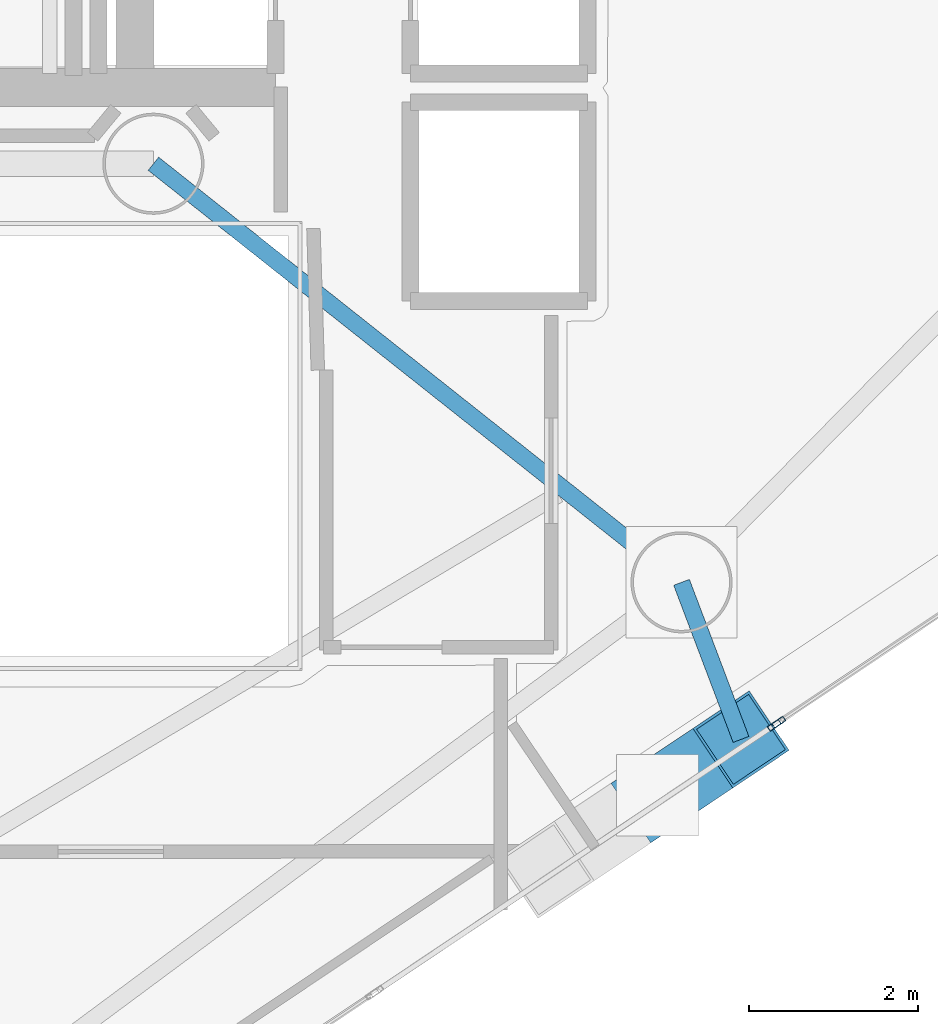
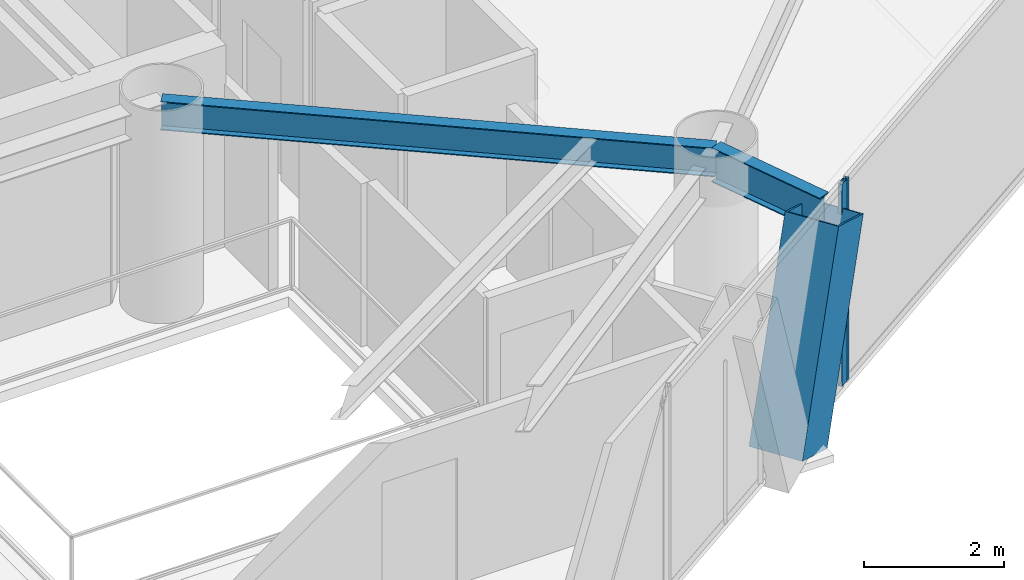
# One storey, part 5 of 21: 3 members, 2 beams, 2 elements without a shape of their own.
"""IFC4 building model written with IfcOpenShell, lengths in metres."""

from ifc_helpers import new_model, si_unit, direction, frame, origin, origin_2d, place, context, subcontext, project, spatial, hollow_rectangle, i_section, extrude, material, layer, layer_set, material_profile, profile_set, type_object, element, aggregate, save


model = new_model("IFC4")

# Units and contexts
model_context = context("Model", 3, precision=1e-05, world=origin(), true_north=direction((0.0, 1.0)))
body_context = subcontext(model_context, "Body", "Model", "MODEL_VIEW")
ifc_project = project(units=[si_unit("LENGTHUNIT", "METRE"), si_unit("AREAUNIT", "SQUARE_METRE"), si_unit("VOLUMEUNIT", "CUBIC_METRE"), si_unit("PLANEANGLEUNIT", "RADIAN"), si_unit("MASSUNIT", "GRAM", prefix="KILO")], contexts=[model_context])

# Site, building, storey
site_placement = place(None, origin())
site = spatial("IfcSite", under=ifc_project, at=site_placement, CompositionType="ELEMENT")
building_placement = place(site_placement, origin())
building = spatial("IfcBuilding", under=site, at=building_placement, Name="Qianvela Tower", CompositionType="ELEMENT")
storey_placement = place(building_placement, frame((0.0, 0.0, 189.199951171875)))
storey = spatial("IfcBuildingStorey", under=building, at=storey_placement, Name="L48", CompositionType="ELEMENT", Elevation=189.199951171875)

# Beams
ifc_material_1 = material(Name="Steel Q355B", Category="steel")
ifc_material_profile_1 = material_profile(ifc_material_1, i_section(OverallWidth=0.199951171875, OverallDepth=0.5, WebThickness=0.010009765625, FlangeThickness=0.01611328125, at=origin_2d()), Name="HN500x200x10x16")
ifc_profile_set_1 = profile_set([ifc_material_profile_1], Name="Steel Q355B")
beam_type_1 = type_object("IfcBeamType", Name="BM-HN500-GIRD", PredefinedType="BEAM", material=ifc_profile_set_1)
beam_1_placement = place(storey_placement, frame((38.39990234375, 23.85009765625, 3.26806640625), z_axis=(0.783705217119, -0.621132942824, 0.0), x_axis=(0.621132942824, 0.783705217119, 0.0)))
element("IfcBeam", 1, at=beam_1_placement, inside=storey, type_object=beam_type_1, Name="L48 Radial Primary Floor Girder 6", PredefinedType="BEAM", context=body_context, shape_type="SweptSolid", body=[
    extrude(i_section(OverallWidth=0.199951171875, OverallDepth=0.5, WebThickness=0.010009765625, FlangeThickness=0.01611328125, at=origin_2d()), origin(), (0.0, 0.0, 1.0), 7.996826171875),
])
ifc_material_2 = material(Name="Steel Q355B", Category="steel")
ifc_material_profile_2 = material_profile(ifc_material_2, i_section(OverallWidth=0.199951171875, OverallDepth=0.60009765625, WebThickness=0.010986328125, FlangeThickness=0.01708984375, at=origin_2d()), Name="HN600x200x11x17")
ifc_profile_set_2 = profile_set([ifc_material_profile_2], Name="Steel Q355B")
beam_type_2 = type_object("IfcBeamType", Name="BM-HN600-GIRD", PredefinedType="BEAM", material=ifc_profile_set_2)
beam_2_placement = place(storey_placement, frame((44.6669921875, 18.883056640625, 3.218017578125), z_axis=(0.354074511547, -0.935217215556, 0.0), x_axis=(0.935217215556, 0.354074511547, 0.0)))
element("IfcBeam", 2, at=beam_2_placement, inside=storey, type_object=beam_type_2, Name="L48 Mega-Brace Column Tie Bracket F3-2", PredefinedType="BEAM", context=body_context, shape_type="SweptSolid", body=[
    extrude(i_section(OverallWidth=0.199951171875, OverallDepth=0.60009765625, WebThickness=0.010986328125, FlangeThickness=0.01708984375, at=origin_2d()), origin(), (0.0, 0.0, 1.0), 1.993408203125),
])

# Curtain wall, member
ifc_material_3 = material(Name="Anodised Architectural Aluminium and Insulated Spandrel Panel", Category="aluminium")
ifc_layer_1 = layer(ifc_material_3, 0.179931640625)
ifc_layer_set_1 = layer_set([ifc_layer_1], Name="Anodised Architectural Aluminium and Insulated Spandrel Panel")
curtain_wall_type_1 = type_object("IfcCurtainWallType", Name="CW-BRACEBAY", PredefinedType="USERDEFINED", material=ifc_layer_set_1)
curtain_wall_1_placement = place(storey_placement, origin())
curtain_wall_1 = element("IfcCurtainWall", 3, at=curtain_wall_1_placement, inside=storey, type_object=curtain_wall_type_1, Name="L48 CW-BRACEBAY Curtain Wall 06B", ObjectType="CURTAIN_WALL_SYSTEM", PredefinedType="USERDEFINED")
ifc_material_4 = material(Name="Anodised Architectural Aluminium 6063-T6", Category="aluminium")
ifc_material_profile_3 = material_profile(ifc_material_4, hollow_rectangle(XDim=0.06494140625, YDim=0.159912109375, WallThickness=0.0048828125, at=origin_2d()), Name="ALU-MULL-65x160")
ifc_profile_set_3 = profile_set([ifc_material_profile_3], Name="Anodised Architectural Aluminium 6063-T6")
member_type_1 = type_object("IfcMemberType", Name="CW-BRACEBAY-MULL", PredefinedType="MULLION", material=ifc_profile_set_3)
member_1_placement = place(storey_placement, frame((45.767333984375, 17.186767578125, 0.0), z_axis=(0.0, 0.0, 1.0), x_axis=(-0.556182826107, 0.831059964108, 0.0)))
member_1 = element("IfcMember", 4, at=member_1_placement, type_object=member_type_1, Name="CW-9 mullion 2", PredefinedType="MULLION", context=body_context, shape_type="SweptSolid", body=[
    extrude(hollow_rectangle(XDim=0.06494140625, YDim=0.159912109375, WallThickness=0.0048828125, at=origin_2d()), origin(), (0.0, 0.0, 1.0), 3.52001953125),
])
aggregate(curtain_wall_1, [member_1])

ifc_material_5 = material(Name="Anodised Architectural Aluminium and Low-E Glass", Category="aluminium")
ifc_layer_2 = layer(ifc_material_5, 0.159912109375)
ifc_layer_set_2 = layer_set([ifc_layer_2], Name="Anodised Architectural Aluminium and Low-E Glass")
curtain_wall_type_2 = type_object("IfcCurtainWallType", Name="CW-COLIV-Z56", PredefinedType="USERDEFINED", material=ifc_layer_set_2)
curtain_wall_2_placement = place(storey_placement, origin())
curtain_wall_2 = element("IfcCurtainWall", 5, at=curtain_wall_2_placement, inside=storey, type_object=curtain_wall_type_2, Name="L48 CW-COLIV-Z56 Curtain Wall 06C", ObjectType="CURTAIN_WALL_SYSTEM", PredefinedType="USERDEFINED")
ifc_material_6 = material(Name="Anodised Architectural Aluminium 6063-T6", Category="aluminium")
ifc_material_profile_4 = material_profile(ifc_material_6, hollow_rectangle(XDim=0.06494140625, YDim=0.159912109375, WallThickness=0.0048828125, at=origin_2d()), Name="ALU-MULL-65x160")
ifc_profile_set_4 = profile_set([ifc_material_profile_4], Name="Anodised Architectural Aluminium 6063-T6")
member_type_2 = type_object("IfcMemberType", Name="CW-COLIV-Z56-MULL", PredefinedType="MULLION", material=ifc_profile_set_4)
member_2_placement = place(storey_placement, frame((45.8212890625, 17.222900390625, 0.0), z_axis=(0.0, 0.0, 1.0), x_axis=(-0.556195065619, 0.831051772744, 0.0)))
member_2 = element("IfcMember", 6, at=member_2_placement, type_object=member_type_2, Name="CW-5 mullion 1", PredefinedType="MULLION", context=body_context, shape_type="SweptSolid", body=[
    extrude(hollow_rectangle(XDim=0.06494140625, YDim=0.159912109375, WallThickness=0.0048828125, at=origin_2d()), origin(), (0.0, 0.0, 1.0), 3.52001953125),
])
aggregate(curtain_wall_2, [member_2])

# Member
ifc_material_7 = material(Name="Steel Q420GJC", Category="steel")
ifc_material_profile_5 = material_profile(ifc_material_7, hollow_rectangle(XDim=0.85009765625, YDim=0.85009765625, WallThickness=0.031982421875, at=origin_2d()), Name="MBOX-850x850x32")
ifc_profile_set_5 = profile_set([ifc_material_profile_5], Name="Steel Q420GJC")
member_type_3 = type_object("IfcMemberType", Name="MBR-MBRACE-850", PredefinedType="BRACE", material=ifc_profile_set_5)
member_3_placement = place(storey_placement, frame((44.399658203125, 16.36767578125, -0.139892578125), z_axis=(0.273647585617, 0.183095361475, 0.944242070389), x_axis=(-0.55609482586, 0.831118851098, 0.0)))
element("IfcMember", 7, at=member_3_placement, inside=storey, type_object=member_type_3, Name="L48 Tier 8 Exterior Mega-Brace F3B", PredefinedType="BRACE", context=body_context, shape_type="SweptSolid", body=[
    extrude(hollow_rectangle(XDim=0.85009765625, YDim=0.85009765625, WallThickness=0.031982421875, at=origin_2d()), origin(), (0.0, 0.0, 1.0), 3.55615234375),
])

save(model, "model.ifc")
